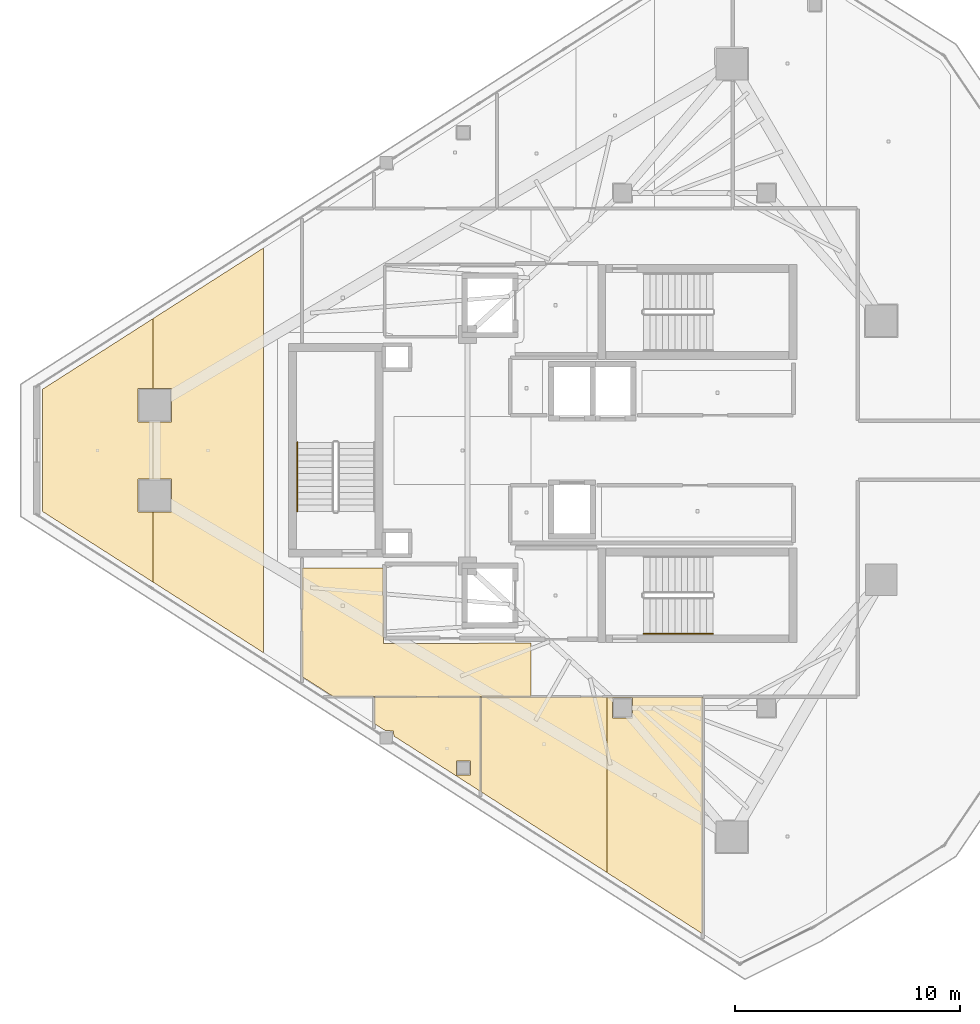
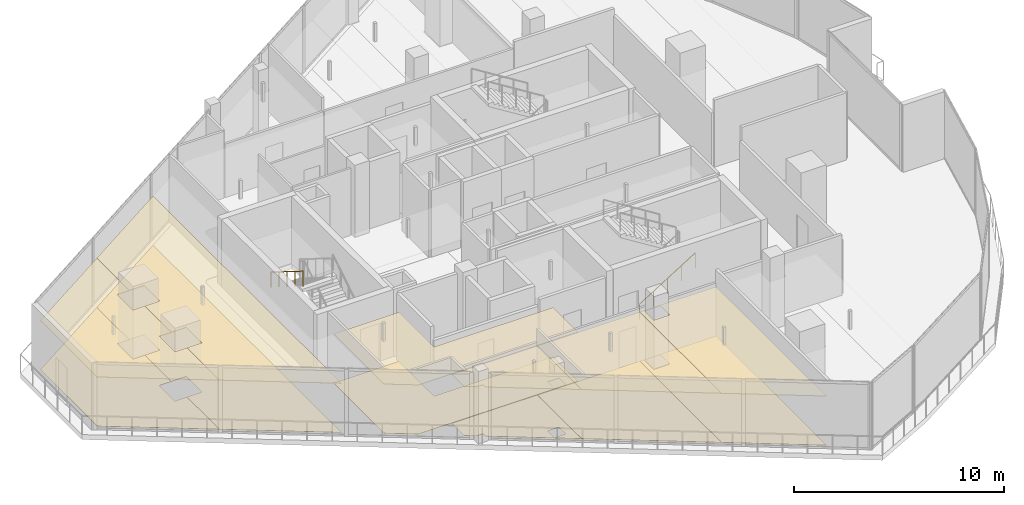
# One storey, part 21 of 25: 12 coverings, 2 railings.
"""IFC4 building model written with IfcOpenShell, lengths in metres."""

from ifc_helpers import new_model, si_unit, direction, frame, origin, origin_2d, place, context, subcontext, project, spatial, polyline, circle, outline, extrude, material, layer, layer_set, type_object, element, save


model = new_model("IFC4")

# Units and contexts
model_context = context("Model", 3, precision=1e-05, world=origin(), true_north=direction((0.0, 1.0)))
body_context = subcontext(model_context, "Body", "Model", "MODEL_VIEW")
ifc_project = project(units=[si_unit("LENGTHUNIT", "METRE"), si_unit("AREAUNIT", "SQUARE_METRE"), si_unit("VOLUMEUNIT", "CUBIC_METRE"), si_unit("PLANEANGLEUNIT", "RADIAN"), si_unit("MASSUNIT", "GRAM", prefix="KILO")], contexts=[model_context])

# Site, building, storey
site_placement = place(None, origin())
site = spatial("IfcSite", under=ifc_project, at=site_placement, CompositionType="ELEMENT")
building_placement = place(site_placement, origin())
building = spatial("IfcBuilding", under=site, at=building_placement, Name="Qorvath Tower", CompositionType="ELEMENT")
storey_placement = place(building_placement, frame((0.0, 0.0, 297.60009765625)))
storey = spatial("IfcBuildingStorey", under=building, at=storey_placement, Name="L69", CompositionType="ELEMENT", Elevation=297.60009765625)

# Coverings
ifc_material_1 = material(Name="Acoustic mineral fibre ceiling tile", Category="gypsum")
ifc_layer_1 = layer(ifc_material_1, 0.030029296875)
ifc_layer_set_1 = layer_set([ifc_layer_1], Name="COV-CEIL")
covering_type_1 = type_object("IfcCoveringType", Name="COV-CEIL", PredefinedType="CEILING", material=ifc_layer_set_1)
covering_1_placement = place(storey_placement, frame((0.0, 0.0, 2.849853515625)))
element("IfcCovering", 1, at=covering_1_placement, inside=storey, type_object=covering_type_1, Name="L69 Suspended Acoustic Ceiling 009", PredefinedType="CEILING", context=body_context, shape_type="SweptSolid", body=[
    extrude(outline(polyline([(-34.22509765625, -8.580078125), (-34.251220703125, -5.239990234375), (-37.844970703125, -5.239990234375), (-37.844970703125, -10.0634765625), (-36.4658203125, -10.945068359375), (-27.67626953125, -10.945068359375), (-27.67626953125, -8.57568359375), (-34.22509765625, -8.580078125)])), origin(), (0.0, 0.0, 1.0), 0.030029296875),
])
covering_2_placement = place(storey_placement, frame((0.0, 0.0, 2.849853515625)))
element("IfcCovering", 2, at=covering_2_placement, inside=storey, type_object=covering_type_1, Name="L69 Suspended Acoustic Ceiling 012", PredefinedType="CEILING", context=body_context, shape_type="SweptSolid", body=[
    extrude(outline(polyline([(-44.48388671875, -5.85595703125), (-44.48388671875, -2.75), (-45.14501953125, -2.75), (-45.14501953125, -1.26513671875), (-44.48388671875, -1.26513671875), (-44.48388671875, 1.26513671875), (-45.14501953125, 1.26513671875), (-45.14501953125, 2.75), (-44.48388671875, 2.75), (-44.48388671875, 5.85595703125), (-49.3984375, 2.715087890625), (-49.3984375, -2.715087890625), (-44.48388671875, -5.85595703125)])), origin(), (0.0, 0.0, 1.0), 0.030029296875),
])
covering_3_placement = place(storey_placement, frame((0.0, 0.0, 2.849853515625)))
element("IfcCovering", 3, at=covering_3_placement, inside=storey, type_object=covering_type_1, Name="L69 Suspended Acoustic Ceiling 013", PredefinedType="CEILING", context=body_context, shape_type="SweptSolid", body=[
    extrude(outline(polyline([(-39.569580078125, -8.9970703125), (-39.569580078125, 8.9970703125), (-44.48388671875, 5.85595703125), (-44.48388671875, 2.75), (-43.66015625, 2.75), (-43.66015625, 1.26513671875), (-44.48388671875, 1.26513671875), (-44.48388671875, -1.26513671875), (-43.66015625, -1.26513671875), (-43.66015625, -2.75), (-44.48388671875, -2.75), (-44.48388671875, -5.85595703125), (-39.569580078125, -8.9970703125)])), origin(), (0.0, 0.0, 1.0), 0.030029296875),
])
covering_4_placement = place(storey_placement, frame((0.0, 0.0, 2.849853515625)))
element("IfcCovering", 4, at=covering_4_placement, inside=storey, type_object=covering_type_1, Name="L69 Suspended Acoustic Ceiling 022", PredefinedType="CEILING", context=body_context, shape_type="SweptSolid", body=[
    extrude(outline(polyline([(-34.636962890625, -12.1494140625), (-34.155029296875, -12.45751953125), (-33.786865234375, -12.47509765625), (-33.769287109375, -12.7041015625), (-29.921875, -15.1630859375), (-29.921875, -10.962890625), (-34.636962890625, -10.962890625), (-34.636962890625, -12.1494140625)]), holes=[polyline([(-30.99462890625, -13.806884765625), (-30.35986328125, -13.806884765625), (-30.35986328125, -14.441650390625), (-30.99462890625, -14.441650390625), (-30.99462890625, -13.806884765625)])]), origin(), (0.0, 0.0, 1.0), 0.030029296875),
])
covering_5_placement = place(storey_placement, frame((0.0, 0.0, 2.849853515625)))
element("IfcCovering", 5, at=covering_5_placement, inside=storey, type_object=covering_type_1, Name="L69 Suspended Acoustic Ceiling 023", PredefinedType="CEILING", context=body_context, shape_type="SweptSolid", body=[
    extrude(outline(polyline([(-29.90380859375, -10.962890625), (-29.90380859375, -15.174560546875), (-24.2822265625, -18.781005859375), (-24.2822265625, -10.962890625), (-29.90380859375, -10.962890625)])), origin(), (0.0, 0.0, 1.0), 0.030029296875),
])
covering_6_placement = place(storey_placement, frame((0.0, 0.0, 2.849853515625)))
element("IfcCovering", 6, at=covering_6_placement, inside=storey, type_object=covering_type_1, Name="L69 Suspended Acoustic Ceiling 024", PredefinedType="CEILING", context=body_context, shape_type="SweptSolid", body=[
    extrude(outline(polyline([(-24.2822265625, -10.962890625), (-24.2822265625, -18.781005859375), (-20.05419921875, -21.493408203125), (-20.052734375, -10.962890625), (-24.2822265625, -10.962890625)]), holes=[polyline([(-24.04248046875, -11.892333984375), (-24.04248046875, -11.007568359375), (-23.157470703125, -11.007568359375), (-23.157470703125, -11.892333984375), (-24.04248046875, -11.892333984375)])]), origin(), (0.0, 0.0, 1.0), 0.030029296875),
])
ifc_material_2 = material(Name="Low-VOC modular carpet tile", Category="textile")
ifc_layer_2 = layer(ifc_material_2, 0.014892578125)
ifc_layer_set_2 = layer_set([ifc_layer_2], Name="COV-FLOOR-CPT")
covering_type_2 = type_object("IfcCoveringType", Name="COV-FLOOR-CPT", PredefinedType="FLOORING", material=ifc_layer_set_2)
covering_7_placement = place(storey_placement, origin())
element("IfcCovering", 7, at=covering_7_placement, inside=storey, type_object=covering_type_2, Name="L69 Floor Finish 012", PredefinedType="FLOORING", context=body_context, shape_type="SweptSolid", body=[
    extrude(outline(polyline([(-44.48388671875, -5.85595703125), (-44.48388671875, -2.75), (-45.14501953125, -2.75), (-45.14501953125, -1.26513671875), (-44.48388671875, -1.26513671875), (-44.48388671875, 1.26513671875), (-45.14501953125, 1.26513671875), (-45.14501953125, 2.75), (-44.48388671875, 2.75), (-44.48388671875, 5.85595703125), (-49.3984375, 2.715087890625), (-49.3984375, -2.715087890625), (-44.48388671875, -5.85595703125)])), origin(), (0.0, 0.0, 1.0), 0.014892578125),
])
covering_8_placement = place(storey_placement, origin())
element("IfcCovering", 8, at=covering_8_placement, inside=storey, type_object=covering_type_2, Name="L69 Floor Finish 013", PredefinedType="FLOORING", context=body_context, shape_type="SweptSolid", body=[
    extrude(outline(polyline([(-39.569580078125, -8.9970703125), (-39.569580078125, 8.9970703125), (-44.48388671875, 5.85595703125), (-44.48388671875, 2.75), (-43.66015625, 2.75), (-43.66015625, 1.26513671875), (-44.48388671875, 1.26513671875), (-44.48388671875, -1.26513671875), (-43.66015625, -1.26513671875), (-43.66015625, -2.75), (-44.48388671875, -2.75), (-44.48388671875, -5.85595703125), (-39.569580078125, -8.9970703125)])), origin(), (0.0, 0.0, 1.0), 0.014892578125),
])
covering_9_placement = place(storey_placement, origin())
element("IfcCovering", 9, at=covering_9_placement, inside=storey, type_object=covering_type_2, Name="L69 Floor Finish 022", PredefinedType="FLOORING", context=body_context, shape_type="SweptSolid", body=[
    extrude(outline(polyline([(-34.636962890625, -12.1494140625), (-34.155029296875, -12.45751953125), (-33.786865234375, -12.47509765625), (-33.769287109375, -12.7041015625), (-29.921875, -15.1630859375), (-29.921875, -10.962890625), (-34.636962890625, -10.962890625), (-34.636962890625, -12.1494140625)]), holes=[polyline([(-30.99462890625, -13.806884765625), (-30.35986328125, -13.806884765625), (-30.35986328125, -14.441650390625), (-30.99462890625, -14.441650390625), (-30.99462890625, -13.806884765625)])]), origin(), (0.0, 0.0, 1.0), 0.014892578125),
])
covering_10_placement = place(storey_placement, origin())
element("IfcCovering", 10, at=covering_10_placement, inside=storey, type_object=covering_type_2, Name="L69 Floor Finish 023", PredefinedType="FLOORING", context=body_context, shape_type="SweptSolid", body=[
    extrude(outline(polyline([(-29.90380859375, -10.962890625), (-29.90380859375, -15.174560546875), (-24.2822265625, -18.781005859375), (-24.2822265625, -10.962890625), (-29.90380859375, -10.962890625)])), origin(), (0.0, 0.0, 1.0), 0.014892578125),
])
covering_11_placement = place(storey_placement, origin())
element("IfcCovering", 11, at=covering_11_placement, inside=storey, type_object=covering_type_2, Name="L69 Floor Finish 024", PredefinedType="FLOORING", context=body_context, shape_type="SweptSolid", body=[
    extrude(outline(polyline([(-24.2822265625, -10.962890625), (-24.2822265625, -18.781005859375), (-20.05419921875, -21.493408203125), (-20.052734375, -10.962890625), (-24.2822265625, -10.962890625)]), holes=[polyline([(-24.04248046875, -11.892333984375), (-24.04248046875, -11.007568359375), (-23.157470703125, -11.007568359375), (-23.157470703125, -11.892333984375), (-24.04248046875, -11.892333984375)])]), origin(), (0.0, 0.0, 1.0), 0.014892578125),
])
ifc_material_3 = material(Name="Polished epoxy terrazzo flooring", Category="concrete")
ifc_layer_3 = layer(ifc_material_3, 0.02001953125)
ifc_layer_set_3 = layer_set([ifc_layer_3], Name="COV-FLOOR-TRZ")
covering_type_3 = type_object("IfcCoveringType", Name="COV-FLOOR-TRZ", PredefinedType="FLOORING", material=ifc_layer_set_3)
covering_12_placement = place(storey_placement, origin())
element("IfcCovering", 12, at=covering_12_placement, inside=storey, type_object=covering_type_3, Name="L69 Floor Finish 009", PredefinedType="FLOORING", context=body_context, shape_type="SweptSolid", body=[
    extrude(outline(polyline([(-34.22509765625, -8.580078125), (-34.251220703125, -5.239990234375), (-37.844970703125, -5.239990234375), (-37.844970703125, -10.0634765625), (-36.4658203125, -10.945068359375), (-27.67626953125, -10.945068359375), (-27.67626953125, -8.57568359375), (-34.22509765625, -8.580078125)])), origin(), (0.0, 0.0, 1.0), 0.014892578125),
])

# Railings
ifc_material_4 = material(Name="Brushed stainless steel AISI 304", Category="steel")
railing_type = type_object("IfcRailingType", Name="RL-STR-HND", PredefinedType="HANDRAIL", material=ifc_material_4)
railing_1_placement = place(storey_placement, frame((-22.669921875, -8.14990234375, 0.1748046875)))
element("IfcRailing", 13, at=railing_1_placement, inside=storey, type_object=railing_type, Name="L69 TS2 stair handrail 1", PredefinedType="HANDRAIL", context=body_context, shape_type="SweptSolid", body=[
    extrude(circle(Radius=0.02392578125, at=origin_2d()), frame((0.0, 0.0, 0.8759765625), z_axis=(0.847979421464, 0.0, 0.530029150871), x_axis=(0.0, 1.0, 0.0)), (0.0, 0.0, 1.0), 3.632080078125),
    extrude(circle(Radius=0.02099609375, at=origin_2d()), origin(), (0.0, 0.0, 1.0), 0.851806640625),
    extrude(circle(Radius=0.02099609375, at=origin_2d()), frame((0.77001953125, 0.0, 0.481201171875)), (0.0, 0.0, 1.0), 0.851806640625),
    extrude(circle(Radius=0.02099609375, at=origin_2d()), frame((1.5400390625, 0.0, 0.96240234375)), (0.0, 0.0, 1.0), 0.851806640625),
    extrude(circle(Radius=0.02099609375, at=origin_2d()), frame((2.309814453125, 0.0, 1.44384765625)), (0.0, 0.0, 1.0), 0.851806640625),
    extrude(circle(Radius=0.02099609375, at=origin_2d()), frame((3.079833984375, 0.0, 1.925048828125)), (0.0, 0.0, 1.0), 0.851806640625),
])
railing_2_placement = place(storey_placement, frame((-38.06005859375, 0.360107421875, 2.27490234375)))
element("IfcRailing", 14, at=railing_2_placement, inside=storey, type_object=railing_type, Name="L69 TS3 stair handrail 2", PredefinedType="HANDRAIL", context=body_context, shape_type="SweptSolid", body=[
    extrude(circle(Radius=0.02392578125, at=origin_2d()), frame((0.0, 0.0, 0.8759765625), z_axis=(0.0, -0.847998304005, 0.529998940003), x_axis=(1.0, 0.0, 0.0)), (0.0, 0.0, 1.0), 3.632080078125),
    extrude(circle(Radius=0.02099609375, at=origin_2d()), origin(), (0.0, 0.0, 1.0), 0.851806640625),
    extrude(circle(Radius=0.02099609375, at=origin_2d()), frame((0.0, -0.77001953125, 0.481201171875)), (0.0, 0.0, 1.0), 0.851806640625),
    extrude(circle(Radius=0.02099609375, at=origin_2d()), frame((0.0, -1.5400390625, 0.96240234375)), (0.0, 0.0, 1.0), 0.851806640625),
    extrude(circle(Radius=0.02099609375, at=origin_2d()), frame((0.0, -2.31005859375, 1.44384765625)), (0.0, 0.0, 1.0), 0.851806640625),
    extrude(circle(Radius=0.02099609375, at=origin_2d()), frame((0.0, -3.080078125, 1.925048828125)), (0.0, 0.0, 1.0), 0.851806640625),
])

save(model, "model.ifc")
